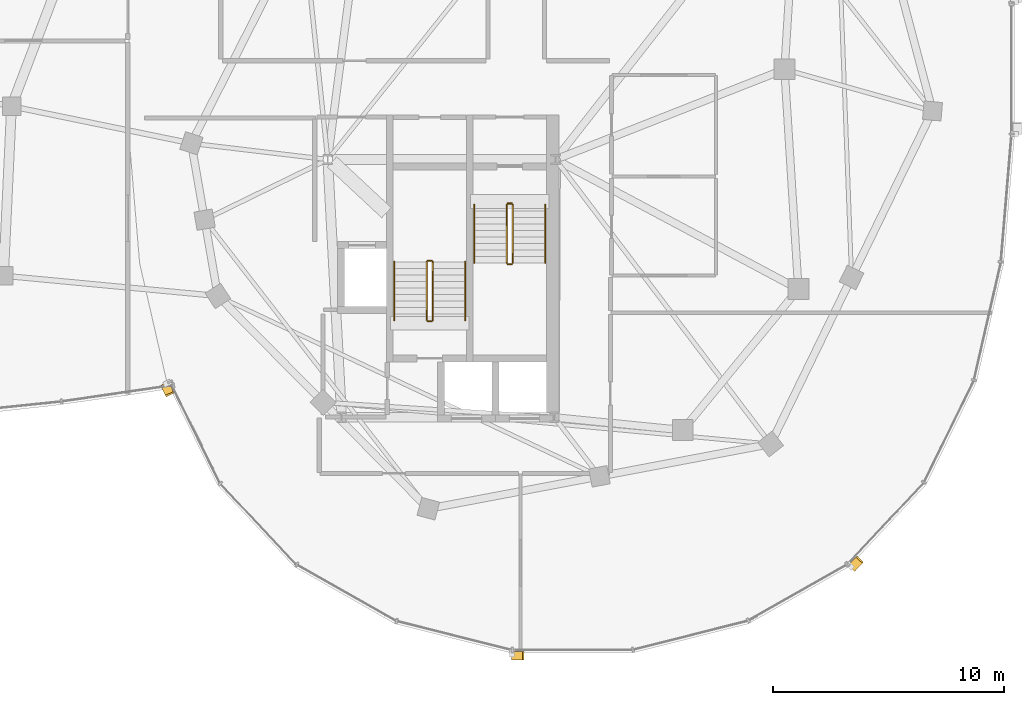
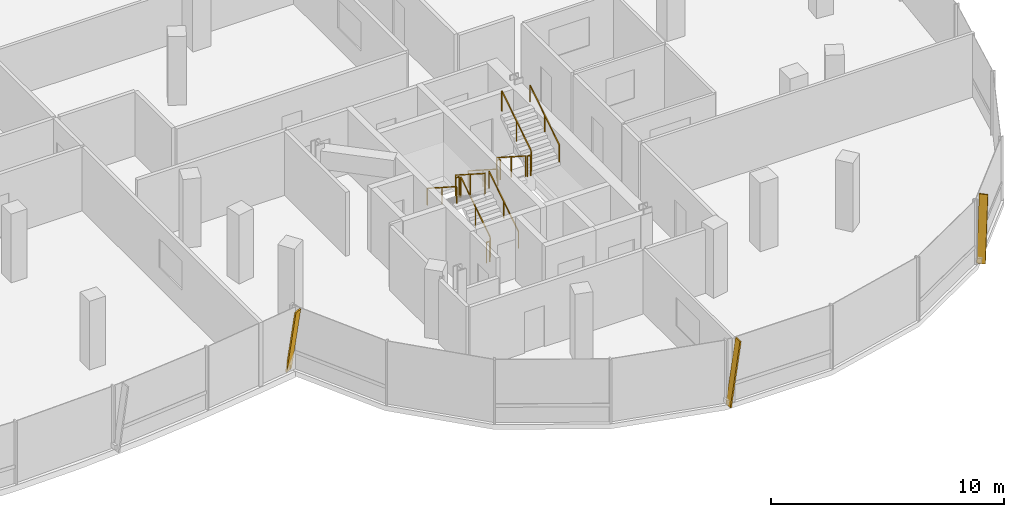
# One storey, part 24 of 25: 12 railings, 3 shading devices.
"""IFC4 building model written with IfcOpenShell, lengths in metres."""

from ifc_helpers import new_model, si_unit, direction, frame, origin, origin_2d, place, context, subcontext, project, spatial, rectangle, extrude, material, material_profile, profile_set, type_object, element, save


model = new_model("IFC4")

# Units and contexts
model_context = context("Model", 3, precision=1e-05, world=origin(), true_north=direction((0.0, 1.0)))
body_context = subcontext(model_context, "Body", "Model", "MODEL_VIEW")
ifc_project = project(units=[si_unit("LENGTHUNIT", "METRE"), si_unit("AREAUNIT", "SQUARE_METRE"), si_unit("VOLUMEUNIT", "CUBIC_METRE"), si_unit("PLANEANGLEUNIT", "RADIAN"), si_unit("MASSUNIT", "GRAM", prefix="KILO"), si_unit("THERMODYNAMICTEMPERATUREUNIT", "KELVIN"), si_unit("POWERUNIT", "WATT")], contexts=[model_context])

# Site, building, storey
site_placement = place(None, origin())
site = spatial("IfcSite", under=ifc_project, at=site_placement, CompositionType="ELEMENT")
building_placement = place(site_placement, origin())
building = spatial("IfcBuilding", under=site, at=building_placement, Name="Cundina Bronze Exchange", CompositionType="ELEMENT")
storey_placement = place(building_placement, frame((0.0, 0.0, 257.60009765625)))
storey = spatial("IfcBuildingStorey", under=building, at=storey_placement, Name="L68", CompositionType="ELEMENT", Elevation=257.60009765625)

# Railings
ifc_material_1 = material(Name="Steel ASTM A36 Painted", Category="steel")
railing_type_1 = type_object("IfcRailingType", Name="RLG-HND-900", PredefinedType="HANDRAIL", material=ifc_material_1)
railing_1_placement = place(storey_placement, frame((27.7900390625, -5.85009765625, 0.179931640625)))
element("IfcRailing", 1, at=railing_1_placement, inside=storey, type_object=railing_type_1, Name="L68 ST-E1 stair handrail 1", PredefinedType="HANDRAIL", context=body_context, shape_type="SweptSolid", body=[
    extrude(rectangle(XDim=0.048095703125, YDim=0.048095703125, at=origin_2d()), frame((0.0, 0.0, 0.8759765625), z_axis=(0.0, -0.841199657755, 0.540724639528), x_axis=(1.0, 0.0, 0.0)), (0.0, 0.0, 1.0), 2.995849609375),
    extrude(rectangle(XDim=0.0419921875, YDim=0.0419921875, at=origin_2d()), origin(), (0.0, 0.0, 1.0), 0.851806640625),
    extrude(rectangle(XDim=0.0419921875, YDim=0.0419921875, at=origin_2d()), frame((0.0, -1.260009765625, 0.81005859375)), (0.0, 0.0, 1.0), 0.851806640625),
    extrude(rectangle(XDim=0.0419921875, YDim=0.0419921875, at=origin_2d()), frame((0.0, -2.52001953125, 1.619873046875)), (0.0, 0.0, 1.0), 0.851806640625),
])
for number, where, name in (
    (2, (30.85009765625, -8.3701171875, 1.97998046875), "L68 ST-E1 stair handrail 2"),
    (3, (27.389892578125, -10.85009765625, 0.179931640625), "L68 ST-E2 stair handrail 1"),
):
    element("IfcRailing", number, at=place(storey_placement, frame(where)), inside=storey, type_object=railing_type_1, Name=name, PredefinedType="HANDRAIL", context=body_context, shape_type="SweptSolid", body=[
        extrude(rectangle(XDim=0.048095703125, YDim=0.048095703125, at=origin_2d()), frame((0.0, 0.0, 0.8759765625), z_axis=(0.0, 0.841199657755, 0.540724639528), x_axis=(-1.0, 0.0, 0.0)), (0.0, 0.0, 1.0), 2.995849609375),
        extrude(rectangle(XDim=0.0419921875, YDim=0.0419921875, at=origin_2d()), origin(), (0.0, 0.0, 1.0), 0.851806640625),
        extrude(rectangle(XDim=0.0419921875, YDim=0.0419921875, at=origin_2d()), frame((0.0, 1.260009765625, 0.81005859375)), (0.0, 0.0, 1.0), 0.851806640625),
        extrude(rectangle(XDim=0.0419921875, YDim=0.0419921875, at=origin_2d()), frame((0.0, 2.52001953125, 1.619873046875)), (0.0, 0.0, 1.0), 0.851806640625),
    ])
railing_2_placement = place(storey_placement, frame((24.330078125, -8.330078125, 1.97998046875)))
element("IfcRailing", 4, at=railing_2_placement, inside=storey, type_object=railing_type_1, Name="L68 ST-E2 stair handrail 2", PredefinedType="HANDRAIL", context=body_context, shape_type="SweptSolid", body=[
    extrude(rectangle(XDim=0.048095703125, YDim=0.048095703125, at=origin_2d()), frame((0.0, 0.0, 0.8759765625), z_axis=(0.0, -0.841199657755, 0.540724639528), x_axis=(1.0, 0.0, 0.0)), (0.0, 0.0, 1.0), 2.995849609375),
    extrude(rectangle(XDim=0.0419921875, YDim=0.0419921875, at=origin_2d()), origin(), (0.0, 0.0, 1.0), 0.851806640625),
    extrude(rectangle(XDim=0.0419921875, YDim=0.0419921875, at=origin_2d()), frame((0.0, -1.260009765625, 0.81005859375)), (0.0, 0.0, 1.0), 0.851806640625),
    extrude(rectangle(XDim=0.0419921875, YDim=0.0419921875, at=origin_2d()), frame((0.0, -2.52001953125, 1.619873046875)), (0.0, 0.0, 1.0), 0.851806640625),
])
railing_type_2 = type_object("IfcRailingType", Name="RLG-STG-1100", PredefinedType="GUARDRAIL", material=ifc_material_1)
railing_3_placement = place(storey_placement, frame((29.18994140625, -5.85009765625, 0.179931640625)))
element("IfcRailing", 5, at=railing_3_placement, inside=storey, type_object=railing_type_2, Name="L68 ST-E1 stair guard 1", PredefinedType="GUARDRAIL", context=body_context, shape_type="SweptSolid", body=[
    extrude(rectangle(XDim=0.048095703125, YDim=0.048095703125, at=origin_2d()), frame((0.0, 0.0, 1.076171875), z_axis=(0.0, -0.841199657755, 0.540724639528), x_axis=(1.0, 0.0, 0.0)), (0.0, 0.0, 1.0), 2.995849609375),
    extrude(rectangle(XDim=0.0419921875, YDim=0.0419921875, at=origin_2d()), origin(), (0.0, 0.0, 1.0), 1.052001953125),
    extrude(rectangle(XDim=0.0419921875, YDim=0.0419921875, at=origin_2d()), frame((0.0, -1.260009765625, 0.81005859375)), (0.0, 0.0, 1.0), 1.052001953125),
    extrude(rectangle(XDim=0.0419921875, YDim=0.0419921875, at=origin_2d()), frame((0.0, -2.52001953125, 1.619873046875)), (0.0, 0.0, 1.0), 1.052001953125),
])
railing_4_placement = place(storey_placement, frame((29.239990234375, -8.419921875, 1.7998046875)))
element("IfcRailing", 6, at=railing_4_placement, inside=storey, type_object=railing_type_2, Name="L68 ST-E1 stair guard 2", PredefinedType="GUARDRAIL", context=body_context, shape_type="SweptSolid", body=[
    extrude(rectangle(XDim=0.048095703125, YDim=0.048095703125, at=origin_2d()), frame((0.0, 0.0, 1.076171875), z_axis=(1.0, 0.0, 0.0), x_axis=(0.0, 1.0, 0.0)), (0.0, 0.0, 1.0), 0.159912109375),
    extrude(rectangle(XDim=0.0419921875, YDim=0.0419921875, at=origin_2d()), origin(), (0.0, 0.0, 1.0), 1.052001953125),
    extrude(rectangle(XDim=0.0419921875, YDim=0.0419921875, at=origin_2d()), frame((0.159912109375, 0.0, 0.0)), (0.0, 0.0, 1.0), 1.052001953125),
])
railing_5_placement = place(storey_placement, frame((29.449951171875, -8.3701171875, 1.97998046875)))
element("IfcRailing", 7, at=railing_5_placement, inside=storey, type_object=railing_type_2, Name="L68 ST-E1 stair guard 3", PredefinedType="GUARDRAIL", context=body_context, shape_type="SweptSolid", body=[
    extrude(rectangle(XDim=0.048095703125, YDim=0.048095703125, at=origin_2d()), frame((0.0, 0.0, 1.076171875), z_axis=(0.0, 0.841199657755, 0.540724639528), x_axis=(-1.0, 0.0, 0.0)), (0.0, 0.0, 1.0), 2.995849609375),
    extrude(rectangle(XDim=0.0419921875, YDim=0.0419921875, at=origin_2d()), origin(), (0.0, 0.0, 1.0), 1.052001953125),
    extrude(rectangle(XDim=0.0419921875, YDim=0.0419921875, at=origin_2d()), frame((0.0, 1.260009765625, 0.81005859375)), (0.0, 0.0, 1.0), 1.052001953125),
    extrude(rectangle(XDim=0.0419921875, YDim=0.0419921875, at=origin_2d()), frame((0.0, 2.52001953125, 1.619873046875)), (0.0, 0.0, 1.0), 1.052001953125),
])
railing_6_placement = place(storey_placement, frame((29.239990234375, -5.800048828125, 0.0)))
element("IfcRailing", 8, at=railing_6_placement, inside=storey, type_object=railing_type_2, Name="L68 ST-E1 stair guard 4", PredefinedType="GUARDRAIL", context=body_context, shape_type="SweptSolid", body=[
    extrude(rectangle(XDim=0.048095703125, YDim=0.048095703125, at=origin_2d()), frame((0.0, 0.0, 1.076171875), z_axis=(1.0, 0.0, 0.0), x_axis=(0.0, 1.0, 0.0)), (0.0, 0.0, 1.0), 0.159912109375),
    extrude(rectangle(XDim=0.0419921875, YDim=0.0419921875, at=origin_2d()), origin(), (0.0, 0.0, 1.0), 1.052001953125),
    extrude(rectangle(XDim=0.0419921875, YDim=0.0419921875, at=origin_2d()), frame((0.159912109375, 0.0, 0.0)), (0.0, 0.0, 1.0), 1.052001953125),
])
railing_7_placement = place(storey_placement, frame((25.989990234375, -10.85009765625, 0.179931640625)))
element("IfcRailing", 9, at=railing_7_placement, inside=storey, type_object=railing_type_2, Name="L68 ST-E2 stair guard 1", PredefinedType="GUARDRAIL", context=body_context, shape_type="SweptSolid", body=[
    extrude(rectangle(XDim=0.048095703125, YDim=0.048095703125, at=origin_2d()), frame((0.0, 0.0, 1.076171875), z_axis=(0.0, 0.841199657755, 0.540724639528), x_axis=(-1.0, 0.0, 0.0)), (0.0, 0.0, 1.0), 2.995849609375),
    extrude(rectangle(XDim=0.0419921875, YDim=0.0419921875, at=origin_2d()), origin(), (0.0, 0.0, 1.0), 1.052001953125),
    extrude(rectangle(XDim=0.0419921875, YDim=0.0419921875, at=origin_2d()), frame((0.0, 1.260009765625, 0.81005859375)), (0.0, 0.0, 1.0), 1.052001953125),
    extrude(rectangle(XDim=0.0419921875, YDim=0.0419921875, at=origin_2d()), frame((0.0, 2.52001953125, 1.619873046875)), (0.0, 0.0, 1.0), 1.052001953125),
])
railing_8_placement = place(storey_placement, frame((25.93994140625, -8.280029296875, 1.7998046875)))
element("IfcRailing", 10, at=railing_8_placement, inside=storey, type_object=railing_type_2, Name="L68 ST-E2 stair guard 2", PredefinedType="GUARDRAIL", context=body_context, shape_type="SweptSolid", body=[
    extrude(rectangle(XDim=0.048095703125, YDim=0.048095703125, at=origin_2d()), frame((0.0, 0.0, 1.076171875), z_axis=(-1.0, 0.0, 0.0), x_axis=(0.0, -1.0, 0.0)), (0.0, 0.0, 1.0), 0.159912109375),
    extrude(rectangle(XDim=0.0419921875, YDim=0.0419921875, at=origin_2d()), origin(), (0.0, 0.0, 1.0), 1.052001953125),
    extrude(rectangle(XDim=0.0419921875, YDim=0.0419921875, at=origin_2d()), frame((-0.159912109375, 0.0, 0.0)), (0.0, 0.0, 1.0), 1.052001953125),
])
railing_9_placement = place(storey_placement, frame((25.72998046875, -8.330078125, 1.97998046875)))
element("IfcRailing", 11, at=railing_9_placement, inside=storey, type_object=railing_type_2, Name="L68 ST-E2 stair guard 3", PredefinedType="GUARDRAIL", context=body_context, shape_type="SweptSolid", body=[
    extrude(rectangle(XDim=0.048095703125, YDim=0.048095703125, at=origin_2d()), frame((0.0, 0.0, 1.076171875), z_axis=(0.0, -0.841199657755, 0.540724639528), x_axis=(1.0, 0.0, 0.0)), (0.0, 0.0, 1.0), 2.995849609375),
    extrude(rectangle(XDim=0.0419921875, YDim=0.0419921875, at=origin_2d()), origin(), (0.0, 0.0, 1.0), 1.052001953125),
    extrude(rectangle(XDim=0.0419921875, YDim=0.0419921875, at=origin_2d()), frame((0.0, -1.260009765625, 0.81005859375)), (0.0, 0.0, 1.0), 1.052001953125),
    extrude(rectangle(XDim=0.0419921875, YDim=0.0419921875, at=origin_2d()), frame((0.0, -2.52001953125, 1.619873046875)), (0.0, 0.0, 1.0), 1.052001953125),
])
railing_10_placement = place(storey_placement, frame((25.93994140625, -10.89990234375, 0.0)))
element("IfcRailing", 12, at=railing_10_placement, inside=storey, type_object=railing_type_2, Name="L68 ST-E2 stair guard 4", PredefinedType="GUARDRAIL", context=body_context, shape_type="SweptSolid", body=[
    extrude(rectangle(XDim=0.048095703125, YDim=0.048095703125, at=origin_2d()), frame((0.0, 0.0, 1.076171875), z_axis=(-1.0, 0.0, 0.0), x_axis=(0.0, -1.0, 0.0)), (0.0, 0.0, 1.0), 0.159912109375),
    extrude(rectangle(XDim=0.0419921875, YDim=0.0419921875, at=origin_2d()), origin(), (0.0, 0.0, 1.0), 1.052001953125),
    extrude(rectangle(XDim=0.0419921875, YDim=0.0419921875, at=origin_2d()), frame((-0.159912109375, 0.0, 0.0)), (0.0, 0.0, 1.0), 1.052001953125),
])

# Shading devices
ifc_material_2 = material(Name="Anodised Bronze Aluminium 6063-T6", Category="aluminium")
ifc_material_profile = material_profile(ifc_material_2, rectangle(XDim=0.070068359375, YDim=0.3798828125, at=origin_2d()), Name="FIN70X380", Category="aluminium")
ifc_profile_set = profile_set([ifc_material_profile], Name="Anodised Bronze Aluminium 6063-T6")
shading_device_type = type_object("IfcShadingDeviceType", Name="SHD-FIN-BRZ380", PredefinedType="USERDEFINED", material=ifc_profile_set)
for number, where, z_axis, x_axis, name in (
    (13, (14.406494140625, -13.614013671875, 0.02001953125), (0.06340496231, -0.129226049049, 0.989585993738), (-0.435899643486, 0.888409781469, 0.143942908816), "L68 Diagonal Bronze Solar Fin 1"),
    (14, (29.423583984375, -25.360107421875, 0.02001953125), (0.143942452949, 0.0, 0.989586060047), (-0.989586060047, 0.0, 0.143942452949), "L68 Diagonal Bronze Solar Fin 5"),
    (15, (44.122314453125, -21.55078125, 0.02001953125), (0.09854858404, 0.104918366218, 0.989585930081), (-0.677504689193, -0.721295854096, 0.143943346447), "L68 Diagonal Bronze Solar Fin 1"),
):
    element("IfcShadingDevice", number, at=place(storey_placement, frame(where, z_axis=z_axis, x_axis=x_axis)), inside=storey, type_object=shading_device_type, Name=name, ObjectType="FIN", PredefinedType="USERDEFINED", context=body_context, shape_type="SweptSolid", body=[
        extrude(rectangle(XDim=0.070068359375, YDim=0.3798828125, at=origin_2d()), origin(), (0.0, 0.0, 1.0), 3.33447265625),
    ])

save(model, "model.ifc")
